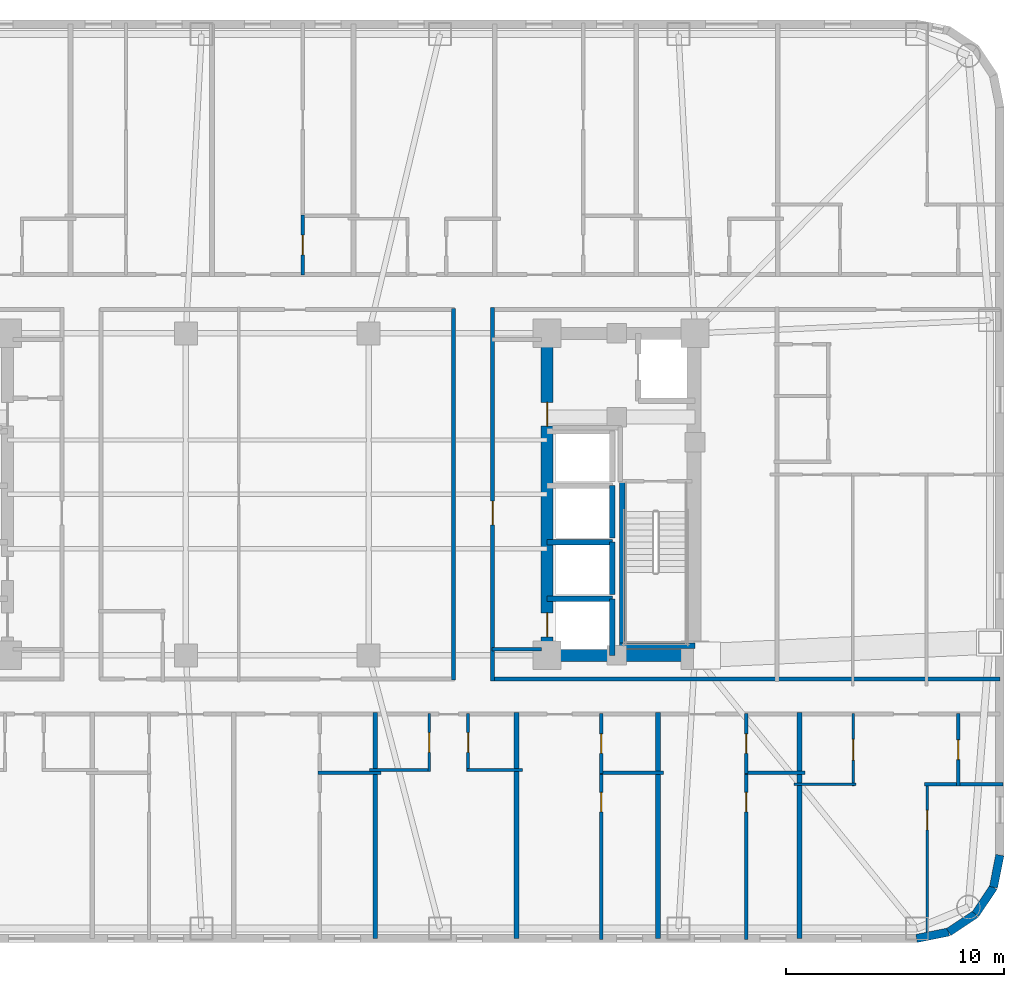
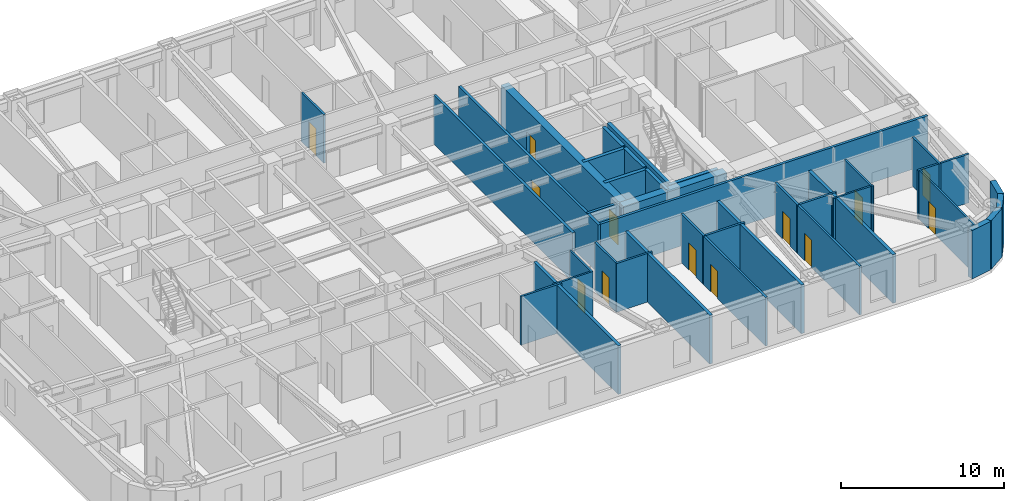
# One storey, part 7 of 12: 38 walls, 13 doors, 13 openings.
"""IFC4 building model written with IfcOpenShell, lengths in metres."""

from ifc_helpers import new_model, si_unit, direction, frame, frame_2d, origin, place, context, subcontext, project, spatial, rectangle, extrude, material, layer, layer_set, type_object, element, fill, save


model = new_model("IFC4")

# Units and contexts
model_context = context("Model", 3, precision=1e-05, world=origin(), true_north=direction((0.0, 1.0)))
body_context = subcontext(model_context, "Body", "Model", "MODEL_VIEW")
ifc_project = project(units=[si_unit("LENGTHUNIT", "METRE"), si_unit("AREAUNIT", "SQUARE_METRE"), si_unit("VOLUMEUNIT", "CUBIC_METRE"), si_unit("PLANEANGLEUNIT", "RADIAN"), si_unit("MASSUNIT", "GRAM", prefix="KILO")], contexts=[model_context])

# Site, building, storey
site_placement = place(None, origin())
site = spatial("IfcSite", under=ifc_project, at=site_placement, CompositionType="ELEMENT")
building_placement = place(site_placement, origin())
building = spatial("IfcBuilding", under=site, at=building_placement, Name="Voryun Gate Residences", CompositionType="ELEMENT")
storey_placement = place(building_placement, frame((0.0, 0.0, 128.699951171875)))
storey = spatial("IfcBuildingStorey", under=building, at=storey_placement, Name="L31", CompositionType="ELEMENT", Elevation=128.699951171875)

# Wall
ifc_material_1 = material(Name="Concrete C60/75", Category="concrete")
ifc_layer_1 = layer(ifc_material_1, 0.550048828125, Name="CW_CORE_550")
ifc_layer_set_1 = layer_set([ifc_layer_1], Name="Concrete C60/75")
wall_type_1 = type_object("IfcWallType", Name="CW_CORE_550", PredefinedType="SHEAR", material=ifc_layer_set_1)
wall_1_placement = place(storey_placement, frame((12.125, -7.39990234375, 0.0), z_axis=(0.0, 0.0, 1.0), x_axis=(1.0, 0.0, 0.0)))
element("IfcWall", 1, at=wall_1_placement, inside=storey, type_object=wall_type_1, Name="L31 Core shear wall CW-L31-ES", PredefinedType="SHEAR", context=body_context, shape_type="SweptSolid", body=[
    extrude(rectangle(XDim=7.35009765625, YDim=0.550048828125, at=frame_2d((3.675048828125, 0.0))), origin(), (0.0, 0.0, 1.0), 3.650146484375),
])

# Wall, openings, doors
wall_2_placement = place(storey_placement, frame((12.39990234375, -7.39990234375, 0.0), z_axis=(0.0, 0.0, 1.0), x_axis=(0.0, 1.0, 0.0)))
wall_2 = element("IfcWall", 2, at=wall_2_placement, inside=storey, type_object=wall_type_1, Name="L31 Core shear wall CW-L31-EW", PredefinedType="SHEAR", context=body_context, shape_type="SweptSolid", body=[
    extrude(rectangle(XDim=14.7998046875, YDim=0.550048828125, at=frame_2d((7.39990234375, 0.0))), origin(), (0.0, 0.0, 1.0), 3.650146484375),
])
opening_1_placement = place(wall_2_placement, frame((0.85009765625, 0.0, 0.0)))
opening_1 = element("IfcOpeningElement", 3, at=opening_1_placement, cuts=wall_2, Name="Opening LD2", PredefinedType="OPENING", context=body_context, shape_type="SweptSolid", body=[
    extrude(rectangle(XDim=1.10009765625, YDim=2.050048828125, at=frame_2d((0.550048828125, 1.02490234375))), frame((0.0, 0.284912109375, 0.0), z_axis=(0.0, -1.0, 0.0), x_axis=(1.0, 0.0, 0.0)), (0.0, 0.0, 1.0), 0.570068359375),
])
opening_2_placement = place(wall_2_placement, frame((10.530029296875, 0.0, 0.0)))
opening_2 = element("IfcOpeningElement", 4, at=opening_2_placement, cuts=wall_2, Name="Opening D-FD60-2", PredefinedType="OPENING", context=body_context, shape_type="SweptSolid", body=[
    extrude(rectangle(XDim=1.10009765625, YDim=2.050048828125, at=frame_2d((0.550048828125, 1.02490234375))), frame((0.0, 0.284912109375, 0.0), z_axis=(0.0, -1.0, 0.0), x_axis=(1.0, 0.0, 0.0)), (0.0, 0.0, 1.0), 0.570068359375),
])
ifc_material_2 = material(Name="Painted steel fire door", Category="steel")
door_type_1 = type_object("IfcDoorType", Name="DR_FD60_FFLOB_1100", OperationType="NOTDEFINED", PredefinedType="DOOR", material=ifc_material_2)
door_1_placement = place(opening_2_placement, origin())
door_1 = element("IfcDoor", 5, at=door_1_placement, inside=storey, type_object=door_type_1, Name="Door DR-L31-CLOB-E", OperationType="SINGLE_SWING_RIGHT", OverallHeight=2.050048828125, OverallWidth=1.10009765625, PredefinedType="DOOR", context=body_context, shape_type="SweptSolid", body=[
    extrude(rectangle(XDim=1.10009765625, YDim=2.050048828125, at=frame_2d((0.550048828125, 1.02490234375))), frame((0.0, 0.02490234375, 0.0), z_axis=(0.0, -1.0, 0.0), x_axis=(1.0, 0.0, 0.0)), (0.0, 0.0, 1.0), 0.050048828125),
])
fill(opening_2, door_1)
ifc_material_3 = material(Name="Anodised aluminium", Category="aluminium")
door_type_2 = type_object("IfcDoorType", Name="DR_LD_PASS_1100", OperationType="NOTDEFINED", PredefinedType="DOOR", material=ifc_material_3)
door_2_placement = place(opening_1_placement, origin())
door_2 = element("IfcDoor", 6, at=door_2_placement, inside=storey, type_object=door_type_2, Name="Lift EL-P3 sliding landing door L31", OperationType="SLIDING_TO_LEFT", OverallHeight=2.050048828125, OverallWidth=1.10009765625, PredefinedType="DOOR", context=body_context, shape_type="SweptSolid", body=[
    extrude(rectangle(XDim=1.10009765625, YDim=2.050048828125, at=frame_2d((0.550048828125, 1.02490234375))), frame((0.0, 0.02490234375, 0.0), z_axis=(0.0, -1.0, 0.0), x_axis=(1.0, 0.0, 0.0)), (0.0, 0.0, 1.0), 0.050048828125),
])
fill(opening_1, door_2)

# Wall
ifc_material_4 = material(Name="Gypsum acoustic fireboard")
ifc_layer_2 = layer(ifc_material_4, 0.179931640625, Name="W_CORR_RATED_180")
ifc_layer_set_2 = layer_set([ifc_layer_2], Name="Gypsum acoustic fireboard")
wall_type_2 = type_object("IfcWallType", Name="W_CORR_RATED_180", PredefinedType="PARTITIONING", material=ifc_layer_set_2)
wall_3_placement = place(storey_placement, frame((9.8798828125, -7.1201171875, 0.0), z_axis=(0.0, 0.0, 1.0), x_axis=(1.0, 0.0, 0.0)))
element("IfcWall", 7, at=wall_3_placement, inside=storey, type_object=wall_type_2, Name="Partition wall WP-L31-PLBS-E", PredefinedType="PARTITIONING", context=body_context, shape_type="SweptSolid", body=[
    extrude(rectangle(XDim=2.27001953125, YDim=0.179931640625, at=frame_2d((1.135009765625, 0.0))), origin(), (0.0, 0.0, 1.0), 3.650146484375),
])

# Wall, opening, door
wall_4_placement = place(storey_placement, frame((9.89990234375, -8.580078125, 0.0), z_axis=(0.0, 0.0, 1.0), x_axis=(0.0, 1.0, 0.0)))
wall_4 = element("IfcWall", 8, at=wall_4_placement, inside=storey, type_object=wall_type_2, Name="Partition wall WP-L31-PLBE-FULL", PredefinedType="PARTITIONING", context=body_context, shape_type="SweptSolid", body=[
    extrude(rectangle(XDim=17.16015625, YDim=0.179931640625, at=frame_2d((8.580078125, 0.0))), origin(), (0.0, 0.0, 1.0), 3.650146484375),
])
opening_3_placement = place(wall_4_placement, frame((7.172119140625, 0.0, 0.0)))
opening_3 = element("IfcOpeningElement", 9, at=opening_3_placement, cuts=wall_4, Name="Opening D-FD60-2", PredefinedType="OPENING", context=body_context, shape_type="SweptSolid", body=[
    extrude(rectangle(XDim=1.10009765625, YDim=2.050048828125, at=frame_2d((0.550048828125, 1.02490234375))), frame((0.0, 0.099853515625, 0.0), z_axis=(0.0, -1.0, 0.0), x_axis=(1.0, 0.0, 0.0)), (0.0, 0.0, 1.0), 0.199951171875),
])
door_3_placement = place(opening_3_placement, origin())
door_3 = element("IfcDoor", 10, at=door_3_placement, inside=storey, type_object=door_type_1, Name="Door DR-L31-PLBE-COR", OperationType="SINGLE_SWING_RIGHT", OverallHeight=2.050048828125, OverallWidth=1.10009765625, PredefinedType="DOOR", context=body_context, shape_type="SweptSolid", body=[
    extrude(rectangle(XDim=1.10009765625, YDim=2.050048828125, at=frame_2d((0.550048828125, 1.02490234375))), frame((0.0, 0.02490234375, 0.0), z_axis=(0.0, -1.0, 0.0), x_axis=(1.0, 0.0, 0.0)), (0.0, 0.0, 1.0), 0.050048828125),
])
fill(opening_3, door_3)

# Walls
wall_5_placement = place(storey_placement, frame((9.8798828125, -8.489990234375, 0.0), z_axis=(0.0, 0.0, 1.0), x_axis=(1.0, 0.0, 0.0)))
element("IfcWall", 11, at=wall_5_placement, inside=storey, type_object=wall_type_2, Name="Partition wall WP-L31-CWING-ES", PredefinedType="PARTITIONING", context=body_context, shape_type="SweptSolid", body=[
    extrude(rectangle(XDim=23.330078125, YDim=0.179931640625, at=frame_2d((11.6650390625, 0.0))), origin(), (0.0, 0.0, 1.0), 3.650146484375),
])
wall_6_placement = place(storey_placement, frame((8.10009765625, -8.530029296875, 0.0), z_axis=(0.0, 0.0, 1.0), x_axis=(0.0, 1.0, 0.0)))
element("IfcWall", 12, at=wall_6_placement, inside=storey, type_object=wall_type_2, Name="Partition wall WP-L31-Z1E", PredefinedType="PARTITIONING", context=body_context, shape_type="SweptSolid", body=[
    extrude(rectangle(XDim=17.06005859375, YDim=0.179931640625, at=frame_2d((8.530029296875, 0.0))), origin(), (0.0, 0.0, 1.0), 3.650146484375),
])
ifc_material_5 = material(Name="Granite masonry", Category="masonry")
ifc_layer_3 = layer(ifc_material_5, 0.3798828125, Name="W_EXT_GRANITE_380")
ifc_layer_set_3 = layer_set([ifc_layer_3], Name="Granite masonry")
wall_type_3 = type_object("IfcWallType", Name="W_EXT_GRANITE_380", PredefinedType="ELEMENTEDWALL", material=ifc_layer_set_3)
wall_7_placement = place(storey_placement, frame((33.2099609375, -16.581298828125, 0.0), z_axis=(0.0, 0.0, 1.0), x_axis=(-0.195086038585, -0.980786132421, 0.0)))
element("IfcWall", 13, at=wall_7_placement, inside=storey, type_object=wall_type_3, Name="Exterior wall WEXT-L31-17", PredefinedType="ELEMENTEDWALL", context=body_context, shape_type="SweptSolid", body=[
    extrude(rectangle(XDim=1.504150390625, YDim=0.3798828125, at=frame_2d((0.751953125, 0.0))), origin(), (0.0, 0.0, 1.0), 3.650146484375),
])
wall_8_placement = place(storey_placement, frame((32.91650390625, -18.056640625, 0.0), z_axis=(0.0, 0.0, 1.0), x_axis=(-0.555610286119, -0.831442848281, 0.0)))
element("IfcWall", 14, at=wall_8_placement, inside=storey, type_object=wall_type_3, Name="Exterior wall WEXT-L31-18", PredefinedType="ELEMENTEDWALL", context=body_context, shape_type="SweptSolid", body=[
    extrude(rectangle(XDim=1.485107421875, YDim=0.3798828125, at=frame_2d((0.74267578125, 0.0))), origin(), (0.0, 0.0, 1.0), 3.650146484375),
])
wall_9_placement = place(storey_placement, frame((32.09130859375, -19.29150390625, 0.0), z_axis=(0.0, 0.0, 1.0), x_axis=(-0.831468045563, -0.555572577804, 0.0)))
element("IfcWall", 15, at=wall_9_placement, inside=storey, type_object=wall_type_3, Name="Exterior wall WEXT-L31-19", PredefinedType="ELEMENTEDWALL", context=body_context, shape_type="SweptSolid", body=[
    extrude(rectangle(XDim=1.48486328125, YDim=0.3798828125, at=frame_2d((0.742431640625, 0.0))), origin(), (0.0, 0.0, 1.0), 3.650146484375),
])
wall_10_placement = place(storey_placement, frame((30.856689453125, -20.116455078125, 0.0), z_axis=(0.0, 0.0, 1.0), x_axis=(-0.980786132421, -0.195086038585, 0.0)))
element("IfcWall", 16, at=wall_10_placement, inside=storey, type_object=wall_type_3, Name="Exterior wall WEXT-L31-20", PredefinedType="ELEMENTEDWALL", context=body_context, shape_type="SweptSolid", body=[
    extrude(rectangle(XDim=1.504150390625, YDim=0.3798828125, at=frame_2d((0.751953125, 0.0))), origin(), (0.0, 0.0, 1.0), 3.650146484375),
])
ifc_material_6 = material(Name="Concrete C40/50", Category="concrete")
ifc_layer_4 = layer(ifc_material_6, 0.219970703125, Name="W_PARTY_ACOUSTIC_220")
ifc_layer_set_4 = layer_set([ifc_layer_4], Name="Concrete C40/50")
wall_type_4 = type_object("IfcWallType", Name="W_PARTY_ACOUSTIC_220", PredefinedType="PARTITIONING", material=ifc_layer_set_4)
for number, where, z_axis, x_axis, name in (
    (17, (4.5, -20.409912109375, 0.0), (0.0, 0.0, 1.0), (0.0, 1.0, 0.0), "Partition wall WP-L31-SPTY-5"),
    (18, (11.0, -20.409912109375, 0.0), (0.0, 0.0, 1.0), (0.0, 1.0, 0.0), "Partition wall WP-L31-SPTY-6"),
    (19, (17.5, -20.409912109375, 0.0), (0.0, 0.0, 1.0), (0.0, 1.0, 0.0), "Partition wall WP-L31-SPTY-7"),
    (20, (24.0, -20.409912109375, 0.0), (0.0, 0.0, 1.0), (0.0, 1.0, 0.0), "Partition wall WP-L31-SPTY-8"),
):
    element("IfcWall", number, at=place(storey_placement, frame(where, z_axis=z_axis, x_axis=x_axis)), inside=storey, type_object=wall_type_4, Name=name, PredefinedType="PARTITIONING", context=body_context, shape_type="SweptSolid", body=[
        extrude(rectangle(XDim=10.389892578125, YDim=0.219970703125, at=frame_2d((5.19482421875, 0.0))), origin(), (0.0, 0.0, 1.0), 3.650146484375),
    ])
ifc_material_7 = material(Name="Concrete C50/60", Category="concrete")
ifc_layer_5 = layer(ifc_material_7, 0.25, Name="W_SHAFT_RC250")
ifc_layer_set_5 = layer_set([ifc_layer_5], Name="Concrete C50/60")
wall_type_5 = type_object("IfcWallType", Name="W_SHAFT_RC250", PredefinedType="SOLIDWALL", material=ifc_layer_set_5)
wall_11_placement = place(storey_placement, frame((15.860107421875, -7.0849609375, 0.0), z_axis=(0.0, 0.0, 1.0), x_axis=(0.0, 1.0, 0.0)))
element("IfcWall", 21, at=wall_11_placement, inside=storey, type_object=wall_type_5, Name="L31 Stair shaft structural wall E-STL", PredefinedType="SOLIDWALL", context=body_context, shape_type="SweptSolid", body=[
    extrude(rectangle(XDim=7.68505859375, YDim=0.25, at=frame_2d((3.842529296875, 0.0))), origin(), (0.0, 0.0, 1.0), 3.650146484375),
])
wall_12_placement = place(storey_placement, frame((15.739990234375, -6.965087890625, 0.0), z_axis=(0.0, 0.0, 1.0), x_axis=(1.0, 0.0, 0.0)))
element("IfcWall", 22, at=wall_12_placement, inside=storey, type_object=wall_type_5, Name="L31 Stair shaft structural wall E-STS", PredefinedType="SOLIDWALL", context=body_context, shape_type="SweptSolid", body=[
    extrude(rectangle(XDim=3.4599609375, YDim=0.25, at=frame_2d((1.72998046875, 0.0))), origin(), (0.0, 0.0, 1.0), 3.650146484375),
])
wall_13_placement = place(storey_placement, frame((15.39990234375, -7.39990234375, 0.0), z_axis=(0.0, 0.0, 1.0), x_axis=(0.0, 1.0, 0.0)))
element("IfcWall", 23, at=wall_13_placement, inside=storey, type_object=wall_type_5, Name="Lift shaft wall WSH-L31-EL-P3-E", PredefinedType="SOLIDWALL", context=body_context, shape_type="SweptSolid", body=[
    extrude(rectangle(XDim=2.599853515625, YDim=0.25, at=frame_2d((1.2998046875, 0.0))), origin(), (0.0, 0.0, 1.0), 3.650146484375),
])
wall_14_placement = place(storey_placement, frame((15.39990234375, -4.800048828125, 0.0), z_axis=(0.0, 0.0, 1.0), x_axis=(-1.0, 0.0, 0.0)))
element("IfcWall", 24, at=wall_14_placement, inside=storey, type_object=wall_type_5, Name="Lift shaft wall WSH-L31-EL-P3-N", PredefinedType="SOLIDWALL", context=body_context, shape_type="SweptSolid", body=[
    extrude(rectangle(XDim=3.0, YDim=0.25, at=frame_2d((1.5, 0.0))), origin(), (0.0, 0.0, 1.0), 3.650146484375),
])
wall_15_placement = place(storey_placement, frame((15.39990234375, -4.60009765625, 0.0), z_axis=(0.0, 0.0, 1.0), x_axis=(0.0, 1.0, 0.0)))
element("IfcWall", 25, at=wall_15_placement, inside=storey, type_object=wall_type_5, Name="Lift shaft wall WSH-L31-EL-P5-E", PredefinedType="SOLIDWALL", context=body_context, shape_type="SweptSolid", body=[
    extrude(rectangle(XDim=2.400146484375, YDim=0.25, at=frame_2d((1.2001953125, 0.0))), origin(), (0.0, 0.0, 1.0), 3.650146484375),
])
wall_16_placement = place(storey_placement, frame((15.39990234375, -2.199951171875, 0.0), z_axis=(0.0, 0.0, 1.0), x_axis=(-1.0, 0.0, 0.0)))
element("IfcWall", 26, at=wall_16_placement, inside=storey, type_object=wall_type_5, Name="Lift shaft wall WSH-L31-EL-P5-N", PredefinedType="SOLIDWALL", context=body_context, shape_type="SweptSolid", body=[
    extrude(rectangle(XDim=3.0, YDim=0.25, at=frame_2d((1.5, 0.0))), origin(), (0.0, 0.0, 1.0), 3.650146484375),
])
wall_17_placement = place(storey_placement, frame((15.39990234375, -2.0, 0.0), z_axis=(0.0, 0.0, 1.0), x_axis=(0.0, 1.0, 0.0)))
element("IfcWall", 27, at=wall_17_placement, inside=storey, type_object=wall_type_5, Name="Lift shaft wall WSH-L31-EL-P6-E", PredefinedType="SOLIDWALL", context=body_context, shape_type="SweptSolid", body=[
    extrude(rectangle(XDim=2.39990234375, YDim=0.25, at=frame_2d((1.199951171875, 0.0))), origin(), (0.0, 0.0, 1.0), 3.650146484375),
])

# Wall, opening, door
ifc_material_8 = material(Name="Gypsum acoustic partition")
ifc_layer_6 = layer(ifc_material_8, 0.125, Name="W_UNIT_PART_125")
ifc_layer_set_6 = layer_set([ifc_layer_6], Name="Gypsum acoustic partition")
wall_type_6 = type_object("IfcWallType", Name="W_UNIT_PART_125", PredefinedType="PARTITIONING", material=ifc_layer_set_6)
wall_18_placement = place(storey_placement, frame((6.98388671875, -12.72998046875, 0.0), z_axis=(0.0, 0.0, 1.0), x_axis=(0.0, 1.0, 0.0)))
wall_18 = element("IfcWall", 28, at=wall_18_placement, inside=storey, type_object=wall_type_6, Name="Partition wall WP-L31-S6-CVK", PredefinedType="PARTITIONING", context=body_context, shape_type="SweptSolid", body=[
    extrude(rectangle(XDim=2.64990234375, YDim=0.125, at=frame_2d((1.324951171875, 0.0))), origin(), (0.0, 0.0, 1.0), 3.650146484375),
])
opening_4_placement = place(wall_18_placement, frame((0.875, 0.0, 0.0)))
opening_4 = element("IfcOpeningElement", 29, at=opening_4_placement, cuts=wall_18, Name="Opening D-INT-2", PredefinedType="OPENING", context=body_context, shape_type="SweptSolid", body=[
    extrude(rectangle(XDim=0.89990234375, YDim=2.050048828125, at=frame_2d((0.449951171875, 1.02490234375))), frame((0.0, 0.072509765625, 0.0), z_axis=(0.0, -1.0, 0.0), x_axis=(1.0, 0.0, 0.0)), (0.0, 0.0, 1.0), 0.14501953125),
])
ifc_material_9 = material(Name="Architectural oak veneer")
door_type_3 = type_object("IfcDoorType", Name="DR_INT_BATH_900", OperationType="NOTDEFINED", PredefinedType="DOOR", material=ifc_material_9)
door_4_placement = place(opening_4_placement, origin())
door_4 = element("IfcDoor", 30, at=door_4_placement, inside=storey, type_object=door_type_3, Name="Door DR-L31-S6-DK", OperationType="SINGLE_SWING_LEFT", OverallHeight=2.050048828125, OverallWidth=0.89990234375, PredefinedType="DOOR", context=body_context, shape_type="SweptSolid", body=[
    extrude(rectangle(XDim=0.89990234375, YDim=2.050048828125, at=frame_2d((0.449951171875, 1.02490234375))), frame((0.0, 0.02490234375, 0.0), z_axis=(0.0, -1.0, 0.0), x_axis=(1.0, 0.0, 0.0)), (0.0, 0.0, 1.0), 0.050048828125),
])
fill(opening_4, door_4)

# Wall
wall_19_placement = place(storey_placement, frame((4.239990234375, -12.669921875, 0.0), z_axis=(0.0, 0.0, 1.0), x_axis=(1.0, 0.0, 0.0)))
element("IfcWall", 31, at=wall_19_placement, inside=storey, type_object=wall_type_6, Name="Partition wall WP-L31-S6-CHK", PredefinedType="PARTITIONING", context=body_context, shape_type="SweptSolid", body=[
    extrude(rectangle(XDim=2.803955078125, YDim=0.125, at=frame_2d((1.40185546875, 0.0))), origin(), (0.0, 0.0, 1.0), 3.650146484375),
])

# Wall, opening, door
wall_20_placement = place(storey_placement, frame((29.867919921875, -20.466064453125, 0.0), z_axis=(0.0, 0.0, 1.0), x_axis=(0.0, 1.0, 0.0)))
wall_20 = element("IfcWall", 32, at=wall_20_placement, inside=storey, type_object=wall_type_6, Name="Partition wall WP-L31-S9-OVR", PredefinedType="PARTITIONING", context=body_context, shape_type="SweptSolid", body=[
    extrude(rectangle(XDim=7.22607421875, YDim=0.125, at=frame_2d((3.613037109375, 0.0))), origin(), (0.0, 0.0, 1.0), 3.650146484375),
])
opening_5_placement = place(wall_20_placement, frame((5.041748046875, 0.0, 0.0)))
opening_5 = element("IfcOpeningElement", 33, at=opening_5_placement, cuts=wall_20, Name="Opening D-INT-2", PredefinedType="OPENING", context=body_context, shape_type="SweptSolid", body=[
    extrude(rectangle(XDim=0.89990234375, YDim=2.050048828125, at=frame_2d((0.449951171875, 1.02490234375))), frame((0.0, 0.072509765625, 0.0), z_axis=(0.0, -1.0, 0.0), x_axis=(1.0, 0.0, 0.0)), (0.0, 0.0, 1.0), 0.14501953125),
])
door_5_placement = place(opening_5_placement, origin())
door_5 = element("IfcDoor", 34, at=door_5_placement, inside=storey, type_object=door_type_3, Name="Door DR-L31-S9-DMB", OperationType="SINGLE_SWING_RIGHT", OverallHeight=2.050048828125, OverallWidth=0.89990234375, PredefinedType="DOOR", context=body_context, shape_type="SweptSolid", body=[
    extrude(rectangle(XDim=0.89990234375, YDim=2.050048828125, at=frame_2d((0.449951171875, 1.02490234375))), frame((0.0, 0.02490234375, 0.0), z_axis=(0.0, -1.0, 0.0), x_axis=(1.0, 0.0, 0.0)), (0.0, 0.0, 1.0), 0.050048828125),
])
fill(opening_5, door_5)

wall_21_placement = place(storey_placement, frame((26.47802734375, -13.39990234375, 0.0), z_axis=(0.0, 0.0, 1.0), x_axis=(0.0, 1.0, 0.0)))
wall_21 = element("IfcWall", 35, at=wall_21_placement, inside=storey, type_object=wall_type_6, Name="Partition wall WP-L31-S9-IVK", PredefinedType="PARTITIONING", context=body_context, shape_type="SweptSolid", body=[
    extrude(rectangle(XDim=3.31982421875, YDim=0.125, at=frame_2d((1.659912109375, 0.0))), origin(), (0.0, 0.0, 1.0), 3.650146484375),
])
opening_6_placement = place(wall_21_placement, frame((1.18505859375, 0.0, 0.0)))
opening_6 = element("IfcOpeningElement", 36, at=opening_6_placement, cuts=wall_21, Name="Opening D-INT-1", PredefinedType="OPENING", context=body_context, shape_type="SweptSolid", body=[
    extrude(rectangle(XDim=0.949951171875, YDim=2.050048828125, at=frame_2d((0.47509765625, 1.02490234375))), frame((0.0, 0.072509765625, 0.0), z_axis=(0.0, -1.0, 0.0), x_axis=(1.0, 0.0, 0.0)), (0.0, 0.0, 1.0), 0.14501953125),
])
ifc_material_10 = material(Name="Architectural oak veneer")
door_type_4 = type_object("IfcDoorType", Name="DR_INT_ROOM_950", OperationType="NOTDEFINED", PredefinedType="DOOR", material=ifc_material_10)
door_6_placement = place(opening_6_placement, origin())
door_6 = element("IfcDoor", 37, at=door_6_placement, inside=storey, type_object=door_type_4, Name="Door DR-L31-S9-DK", OperationType="SINGLE_SWING_LEFT", OverallHeight=2.050048828125, OverallWidth=0.949951171875, PredefinedType="DOOR", context=body_context, shape_type="SweptSolid", body=[
    extrude(rectangle(XDim=0.949951171875, YDim=2.050048828125, at=frame_2d((0.47509765625, 1.02490234375))), frame((0.0, 0.02490234375, 0.0), z_axis=(0.0, -1.0, 0.0), x_axis=(1.0, 0.0, 0.0)), (0.0, 0.0, 1.0), 0.050048828125),
])
fill(opening_6, door_6)

# Wall
wall_22_placement = place(storey_placement, frame((23.739990234375, -13.320068359375, 0.0), z_axis=(0.0, 0.0, 1.0), x_axis=(1.0, 0.0, 0.0)))
element("IfcWall", 38, at=wall_22_placement, inside=storey, type_object=wall_type_6, Name="Partition wall WP-L31-S9-HZK", PredefinedType="PARTITIONING", context=body_context, shape_type="SweptSolid", body=[
    extrude(rectangle(XDim=2.85791015625, YDim=0.125, at=frame_2d((1.428955078125, 0.0))), origin(), (0.0, 0.0, 1.0), 3.650146484375),
])

# Wall, opening, door
ifc_material_11 = material(Name="Gypsum moisture-resistant partition")
ifc_layer_7 = layer(ifc_material_11, 0.14990234375, Name="W_WET_PLUMB_150")
ifc_layer_set_7 = layer_set([ifc_layer_7], Name="Gypsum moisture-resistant partition")
wall_type_7 = type_object("IfcWallType", Name="W_WET_PLUMB_150", PredefinedType="PLUMBINGWALL", material=ifc_layer_set_7)
wall_23_placement = place(storey_placement, frame((1.1689453125, 10.080078125, 0.0), z_axis=(0.0, 0.0, 1.0), x_axis=(0.0, 1.0, 0.0)))
wall_23 = element("IfcWall", 39, at=wall_23_placement, inside=storey, type_object=wall_type_7, Name="Partition wall WP-L31-N5-SVT1", PredefinedType="PLUMBINGWALL", context=body_context, shape_type="SweptSolid", body=[
    extrude(rectangle(XDim=2.760009765625, YDim=0.14990234375, at=frame_2d((1.3798828125, 0.0))), origin(), (0.0, 0.0, 1.0), 3.650146484375),
])
opening_7_placement = place(wall_23_placement, frame((0.929931640625, 0.0, 0.0)))
opening_7 = element("IfcOpeningElement", 40, at=opening_7_placement, cuts=wall_23, Name="Opening D-INT-2", PredefinedType="OPENING", context=body_context, shape_type="SweptSolid", body=[
    extrude(rectangle(XDim=0.89990234375, YDim=2.050048828125, at=frame_2d((0.449951171875, 1.02490234375))), frame((0.0, 0.0849609375, 0.0), z_axis=(0.0, -1.0, 0.0), x_axis=(1.0, 0.0, 0.0)), (0.0, 0.0, 1.0), 0.169921875),
])
door_7_placement = place(opening_7_placement, origin())
door_7 = element("IfcDoor", 41, at=door_7_placement, inside=storey, type_object=door_type_3, Name="Door DR-L31-N5-DB", OperationType="SINGLE_SWING_LEFT", OverallHeight=2.050048828125, OverallWidth=0.89990234375, PredefinedType="DOOR", context=body_context, shape_type="SweptSolid", body=[
    extrude(rectangle(XDim=0.89990234375, YDim=2.050048828125, at=frame_2d((0.449951171875, 1.02490234375))), frame((0.0, 0.02490234375, 0.0), z_axis=(0.0, -1.0, 0.0), x_axis=(1.0, 0.0, 0.0)), (0.0, 0.0, 1.0), 0.050048828125),
])
fill(opening_7, door_7)

# Wall
wall_24_placement = place(storey_placement, frame((1.8720703125, -12.800048828125, 0.0), z_axis=(0.0, 0.0, 1.0), x_axis=(1.0, 0.0, 0.0)))
element("IfcWall", 42, at=wall_24_placement, inside=storey, type_object=wall_type_7, Name="Partition wall WP-L31-S5-SKB", PredefinedType="PLUMBINGWALL", context=body_context, shape_type="SweptSolid", body=[
    extrude(rectangle(XDim=2.887939453125, YDim=0.14990234375, at=frame_2d((1.44384765625, 0.0))), origin(), (0.0, 0.0, 1.0), 3.650146484375),
])

# Wall, opening, door
wall_25_placement = place(storey_placement, frame((8.77099609375, -12.72998046875, 0.0), z_axis=(0.0, 0.0, 1.0), x_axis=(0.0, 1.0, 0.0)))
wall_25 = element("IfcWall", 43, at=wall_25_placement, inside=storey, type_object=wall_type_7, Name="Partition wall WP-L31-S6-CVB", PredefinedType="PLUMBINGWALL", context=body_context, shape_type="SweptSolid", body=[
    extrude(rectangle(XDim=2.64990234375, YDim=0.14990234375, at=frame_2d((1.324951171875, 0.0))), origin(), (0.0, 0.0, 1.0), 3.650146484375),
])
opening_8_placement = place(wall_25_placement, frame((0.875, 0.0, 0.0)))
opening_8 = element("IfcOpeningElement", 44, at=opening_8_placement, cuts=wall_25, Name="Opening D-INT-2", PredefinedType="OPENING", context=body_context, shape_type="SweptSolid", body=[
    extrude(rectangle(XDim=0.89990234375, YDim=2.050048828125, at=frame_2d((0.449951171875, 1.02490234375))), frame((0.0, 0.0849609375, 0.0), z_axis=(0.0, -1.0, 0.0), x_axis=(1.0, 0.0, 0.0)), (0.0, 0.0, 1.0), 0.169921875),
])
door_8_placement = place(opening_8_placement, origin())
door_8 = element("IfcDoor", 45, at=door_8_placement, inside=storey, type_object=door_type_3, Name="Door DR-L31-S6-DB", OperationType="SINGLE_SWING_RIGHT", OverallHeight=2.050048828125, OverallWidth=0.89990234375, PredefinedType="DOOR", context=body_context, shape_type="SweptSolid", body=[
    extrude(rectangle(XDim=0.89990234375, YDim=2.050048828125, at=frame_2d((0.449951171875, 1.02490234375))), frame((0.0, 0.02490234375, 0.0), z_axis=(0.0, -1.0, 0.0), x_axis=(1.0, 0.0, 0.0)), (0.0, 0.0, 1.0), 0.050048828125),
])
fill(opening_8, door_8)

# Walls
wall_26_placement = place(storey_placement, frame((8.7109375, -12.669921875, 0.0), z_axis=(0.0, 0.0, 1.0), x_axis=(1.0, 0.0, 0.0)))
element("IfcWall", 46, at=wall_26_placement, inside=storey, type_object=wall_type_7, Name="Partition wall WP-L31-S6-CHB", PredefinedType="PLUMBINGWALL", context=body_context, shape_type="SweptSolid", body=[
    extrude(rectangle(XDim=2.549072265625, YDim=0.14990234375, at=frame_2d((1.2744140625, 0.0))), origin(), (0.0, 0.0, 1.0), 3.650146484375),
])
wall_27_placement = place(storey_placement, frame((14.81005859375, -12.800048828125, 0.0), z_axis=(0.0, 0.0, 1.0), x_axis=(1.0, 0.0, 0.0)))
element("IfcWall", 47, at=wall_27_placement, inside=storey, type_object=wall_type_7, Name="Partition wall WP-L31-S7-SKB", PredefinedType="PLUMBINGWALL", context=body_context, shape_type="SweptSolid", body=[
    extrude(rectangle(XDim=2.949951171875, YDim=0.14990234375, at=frame_2d((1.47509765625, 0.0))), origin(), (0.0, 0.0, 1.0), 3.650146484375),
])

# Wall, opening, door
wall_28_placement = place(storey_placement, frame((14.889892578125, -20.45751953125, 0.0), z_axis=(0.0, 0.0, 1.0), x_axis=(0.0, 1.0, 0.0)))
wall_28 = element("IfcWall", 48, at=wall_28_placement, inside=storey, type_object=wall_type_7, Name="Partition wall WP-L31-S7-SVT1", PredefinedType="PLUMBINGWALL", context=body_context, shape_type="SweptSolid", body=[
    extrude(rectangle(XDim=7.697509765625, YDim=0.14990234375, at=frame_2d((3.8486328125, 0.0))), origin(), (0.0, 0.0, 1.0), 3.650146484375),
])
opening_9_placement = place(wall_28_placement, frame((5.862060546875, 0.0, 0.0)))
opening_9 = element("IfcOpeningElement", 49, at=opening_9_placement, cuts=wall_28, Name="Opening D-INT-2", PredefinedType="OPENING", context=body_context, shape_type="SweptSolid", body=[
    extrude(rectangle(XDim=0.89990234375, YDim=2.050048828125, at=frame_2d((0.449951171875, 1.02490234375))), frame((0.0, 0.0849609375, 0.0), z_axis=(0.0, -1.0, 0.0), x_axis=(1.0, 0.0, 0.0)), (0.0, 0.0, 1.0), 0.169921875),
])
door_9_placement = place(opening_9_placement, origin())
door_9 = element("IfcDoor", 50, at=door_9_placement, inside=storey, type_object=door_type_3, Name="Door DR-L31-S7-DK", OperationType="SINGLE_SWING_LEFT", OverallHeight=2.050048828125, OverallWidth=0.89990234375, PredefinedType="DOOR", context=body_context, shape_type="SweptSolid", body=[
    extrude(rectangle(XDim=0.89990234375, YDim=2.050048828125, at=frame_2d((0.449951171875, 1.02490234375))), frame((0.0, 0.02490234375, 0.0), z_axis=(0.0, -1.0, 0.0), x_axis=(1.0, 0.0, 0.0)), (0.0, 0.0, 1.0), 0.050048828125),
])
fill(opening_9, door_9)

wall_29_placement = place(storey_placement, frame((14.889892578125, -12.840087890625, 0.0), z_axis=(0.0, 0.0, 1.0), x_axis=(0.0, 1.0, 0.0)))
wall_29 = element("IfcWall", 51, at=wall_29_placement, inside=storey, type_object=wall_type_7, Name="Partition wall WP-L31-S7-SVT2", PredefinedType="PLUMBINGWALL", context=body_context, shape_type="SweptSolid", body=[
    extrude(rectangle(XDim=2.760009765625, YDim=0.14990234375, at=frame_2d((1.3798828125, 0.0))), origin(), (0.0, 0.0, 1.0), 3.650146484375),
])
opening_10_placement = place(wall_29_placement, frame((0.929931640625, 0.0, 0.0)))
opening_10 = element("IfcOpeningElement", 52, at=opening_10_placement, cuts=wall_29, Name="Opening D-INT-2", PredefinedType="OPENING", context=body_context, shape_type="SweptSolid", body=[
    extrude(rectangle(XDim=0.89990234375, YDim=2.050048828125, at=frame_2d((0.449951171875, 1.02490234375))), frame((0.0, 0.0849609375, 0.0), z_axis=(0.0, -1.0, 0.0), x_axis=(1.0, 0.0, 0.0)), (0.0, 0.0, 1.0), 0.169921875),
])
door_10_placement = place(opening_10_placement, origin())
door_10 = element("IfcDoor", 53, at=door_10_placement, inside=storey, type_object=door_type_3, Name="Door DR-L31-S7-DB", OperationType="SINGLE_SWING_RIGHT", OverallHeight=2.050048828125, OverallWidth=0.89990234375, PredefinedType="DOOR", context=body_context, shape_type="SweptSolid", body=[
    extrude(rectangle(XDim=0.89990234375, YDim=2.050048828125, at=frame_2d((0.449951171875, 1.02490234375))), frame((0.0, 0.02490234375, 0.0), z_axis=(0.0, -1.0, 0.0), x_axis=(1.0, 0.0, 0.0)), (0.0, 0.0, 1.0), 0.050048828125),
])
fill(opening_10, door_10)

# Wall
wall_30_placement = place(storey_placement, frame((21.47998046875, -12.800048828125, 0.0), z_axis=(0.0, 0.0, 1.0), x_axis=(1.0, 0.0, 0.0)))
element("IfcWall", 54, at=wall_30_placement, inside=storey, type_object=wall_type_7, Name="Partition wall WP-L31-S8-SKB", PredefinedType="PLUMBINGWALL", context=body_context, shape_type="SweptSolid", body=[
    extrude(rectangle(XDim=2.780029296875, YDim=0.14990234375, at=frame_2d((1.39013671875, 0.0))), origin(), (0.0, 0.0, 1.0), 3.650146484375),
])

# Wall, opening, door
wall_31_placement = place(storey_placement, frame((21.56005859375, -20.45751953125, 0.0), z_axis=(0.0, 0.0, 1.0), x_axis=(0.0, 1.0, 0.0)))
wall_31 = element("IfcWall", 55, at=wall_31_placement, inside=storey, type_object=wall_type_7, Name="Partition wall WP-L31-S8-SVT1", PredefinedType="PLUMBINGWALL", context=body_context, shape_type="SweptSolid", body=[
    extrude(rectangle(XDim=7.697509765625, YDim=0.14990234375, at=frame_2d((3.8486328125, 0.0))), origin(), (0.0, 0.0, 1.0), 3.650146484375),
])
opening_11_placement = place(wall_31_placement, frame((5.862060546875, 0.0, 0.0)))
opening_11 = element("IfcOpeningElement", 56, at=opening_11_placement, cuts=wall_31, Name="Opening D-INT-2", PredefinedType="OPENING", context=body_context, shape_type="SweptSolid", body=[
    extrude(rectangle(XDim=0.89990234375, YDim=2.050048828125, at=frame_2d((0.449951171875, 1.02490234375))), frame((0.0, 0.0849609375, 0.0), z_axis=(0.0, -1.0, 0.0), x_axis=(1.0, 0.0, 0.0)), (0.0, 0.0, 1.0), 0.169921875),
])
door_11_placement = place(opening_11_placement, origin())
door_11 = element("IfcDoor", 57, at=door_11_placement, inside=storey, type_object=door_type_3, Name="Door DR-L31-S8-DK", OperationType="SINGLE_SWING_LEFT", OverallHeight=2.050048828125, OverallWidth=0.89990234375, PredefinedType="DOOR", context=body_context, shape_type="SweptSolid", body=[
    extrude(rectangle(XDim=0.89990234375, YDim=2.050048828125, at=frame_2d((0.449951171875, 1.02490234375))), frame((0.0, 0.02490234375, 0.0), z_axis=(0.0, -1.0, 0.0), x_axis=(1.0, 0.0, 0.0)), (0.0, 0.0, 1.0), 0.050048828125),
])
fill(opening_11, door_11)

wall_32_placement = place(storey_placement, frame((21.56005859375, -12.840087890625, 0.0), z_axis=(0.0, 0.0, 1.0), x_axis=(0.0, 1.0, 0.0)))
wall_32 = element("IfcWall", 58, at=wall_32_placement, inside=storey, type_object=wall_type_7, Name="Partition wall WP-L31-S8-SVT2", PredefinedType="PLUMBINGWALL", context=body_context, shape_type="SweptSolid", body=[
    extrude(rectangle(XDim=2.760009765625, YDim=0.14990234375, at=frame_2d((1.3798828125, 0.0))), origin(), (0.0, 0.0, 1.0), 3.650146484375),
])
opening_12_placement = place(wall_32_placement, frame((0.929931640625, 0.0, 0.0)))
opening_12 = element("IfcOpeningElement", 59, at=opening_12_placement, cuts=wall_32, Name="Opening D-INT-2", PredefinedType="OPENING", context=body_context, shape_type="SweptSolid", body=[
    extrude(rectangle(XDim=0.89990234375, YDim=2.050048828125, at=frame_2d((0.449951171875, 1.02490234375))), frame((0.0, 0.0849609375, 0.0), z_axis=(0.0, -1.0, 0.0), x_axis=(1.0, 0.0, 0.0)), (0.0, 0.0, 1.0), 0.169921875),
])
door_12_placement = place(opening_12_placement, origin())
door_12 = element("IfcDoor", 60, at=door_12_placement, inside=storey, type_object=door_type_3, Name="Door DR-L31-S8-DB", OperationType="SINGLE_SWING_RIGHT", OverallHeight=2.050048828125, OverallWidth=0.89990234375, PredefinedType="DOOR", context=body_context, shape_type="SweptSolid", body=[
    extrude(rectangle(XDim=0.89990234375, YDim=2.050048828125, at=frame_2d((0.449951171875, 1.02490234375))), frame((0.0, 0.02490234375, 0.0), z_axis=(0.0, -1.0, 0.0), x_axis=(1.0, 0.0, 0.0)), (0.0, 0.0, 1.0), 0.050048828125),
])
fill(opening_12, door_12)

# Wall
wall_33_placement = place(storey_placement, frame((29.748046875, -13.320068359375, 0.0), z_axis=(0.0, 0.0, 1.0), x_axis=(1.0, 0.0, 0.0)))
element("IfcWall", 61, at=wall_33_placement, inside=storey, type_object=wall_type_7, Name="Partition wall WP-L31-S9-HZB", PredefinedType="PLUMBINGWALL", context=body_context, shape_type="SweptSolid", body=[
    extrude(rectangle(XDim=3.612060546875, YDim=0.14990234375, at=frame_2d((1.80615234375, 0.0))), origin(), (0.0, 0.0, 1.0), 3.650146484375),
])

# Wall, opening, door
wall_34_placement = place(storey_placement, frame((31.298095703125, -13.39990234375, 0.0), z_axis=(0.0, 0.0, 1.0), x_axis=(0.0, 1.0, 0.0)))
wall_34 = element("IfcWall", 62, at=wall_34_placement, inside=storey, type_object=wall_type_7, Name="Partition wall WP-L31-S9-IVB", PredefinedType="PLUMBINGWALL", context=body_context, shape_type="SweptSolid", body=[
    extrude(rectangle(XDim=3.31982421875, YDim=0.14990234375, at=frame_2d((1.659912109375, 0.0))), origin(), (0.0, 0.0, 1.0), 3.650146484375),
])
opening_13_placement = place(wall_34_placement, frame((1.2099609375, 0.0, 0.0)))
opening_13 = element("IfcOpeningElement", 63, at=opening_13_placement, cuts=wall_34, Name="Opening D-INT-2", PredefinedType="OPENING", context=body_context, shape_type="SweptSolid", body=[
    extrude(rectangle(XDim=0.89990234375, YDim=2.050048828125, at=frame_2d((0.449951171875, 1.02490234375))), frame((0.0, 0.0849609375, 0.0), z_axis=(0.0, -1.0, 0.0), x_axis=(1.0, 0.0, 0.0)), (0.0, 0.0, 1.0), 0.169921875),
])
door_13_placement = place(opening_13_placement, origin())
door_13 = element("IfcDoor", 64, at=door_13_placement, inside=storey, type_object=door_type_3, Name="Door DR-L31-S9-DB", OperationType="SINGLE_SWING_RIGHT", OverallHeight=2.050048828125, OverallWidth=0.89990234375, PredefinedType="DOOR", context=body_context, shape_type="SweptSolid", body=[
    extrude(rectangle(XDim=0.89990234375, YDim=2.050048828125, at=frame_2d((0.449951171875, 1.02490234375))), frame((0.0, 0.02490234375, 0.0), z_axis=(0.0, -1.0, 0.0), x_axis=(1.0, 0.0, 0.0)), (0.0, 0.0, 1.0), 0.050048828125),
])
fill(opening_13, door_13)

save(model, "model.ifc")
